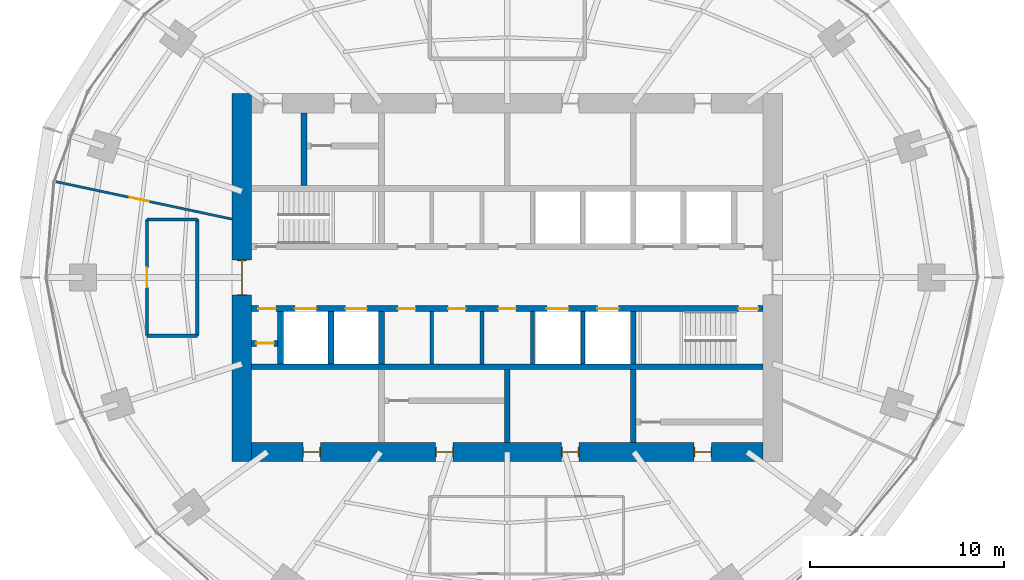
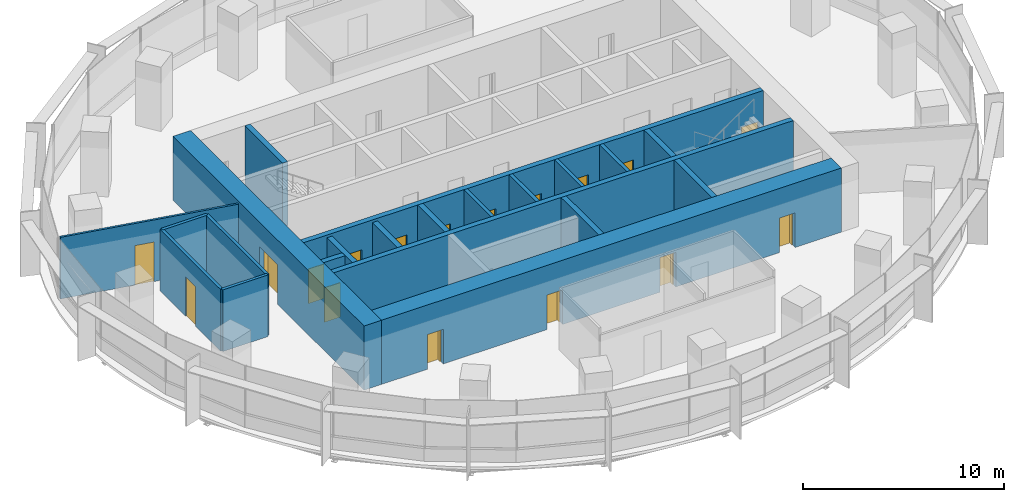
# One storey, part 10 of 14: 21 walls, 17 doors, 17 openings.
"""IFC4 building model written with IfcOpenShell, lengths in metres."""

import ifcopenshell
import ifcopenshell.guid

model = None  # the IFC model being written
_history = None  # IfcOwnerHistory: only IFC2X3 demands one
_inside = {}  # id of a spatial element -> (the spatial element, [elements in it])
_under = {}  # id of a project, library or spatial element -> (it, [spatial elements below it])
_declared = {}  # id of a project -> (the project, [libraries it declares])
_typed = {}  # id of a type object -> (the type object, [elements of that type])
_made_of = {}  # id of a material, layer set ... -> (it, [elements and type objects made of it])


def new_model(schema):
    """Start an empty IFC model of exactly this schema.

    Asked for "IFC4X3", IfcOpenShell would pick the latest addendum, in which some entities
    have other attributes; the version numbers below select the first issue.
    IFC2X3 requires an IfcOwnerHistory on every rooted entity: one is made here for all.
    """
    global model, _history
    if schema == "IFC4X3":
        model = ifcopenshell.file(schema_version=(4, 3, 0, 0))
    else:
        model = ifcopenshell.file(schema=schema)
    _inside.clear()
    _under.clear()
    _declared.clear()
    _typed.clear()
    _made_of.clear()
    _history = None
    if model.schema == "IFC2X3":
        org = make("IfcOrganization", Name="unknown")
        user = make(
            "IfcPersonAndOrganization",
            ThePerson=make("IfcPerson", FamilyName="unknown"),
            TheOrganization=org,
        )
        app = make(
            "IfcApplication",
            ApplicationDeveloper=org,
            Version="unknown",
            ApplicationFullName="unknown",
            ApplicationIdentifier="unknown",
        )
        _history = make(
            "IfcOwnerHistory",
            OwningUser=user,
            OwningApplication=app,
            ChangeAction="ADDED",
            CreationDate=0,
        )
    return model


def make(cls, **values):
    """One entity of the class cls with the attributes given. An attribute that is None is left unset."""
    return model.create_entity(
        cls, **{name: value for name, value in values.items() if value is not None}
    )


def rooted(cls, **values):
    """An entity with a GlobalId (a new one), such as an element, a storey or a relation."""
    return make(cls, GlobalId=ifcopenshell.guid.new(), OwnerHistory=_history, **values)


def si_unit(unit_type, name, prefix=None):
    """IfcSIUnit, for example si_unit("LENGTHUNIT", "METRE", prefix="MILLI")."""
    return make("IfcSIUnit", UnitType=unit_type, Prefix=prefix, Name=name)


def assignment(units):
    """IfcUnitAssignment: the units of a project."""
    return None if units is None else make("IfcUnitAssignment", Units=units)


def point(xyz):
    """IfcCartesianPoint."""
    return None if xyz is None else make("IfcCartesianPoint", Coordinates=xyz)


def direction(xyz):
    """IfcDirection."""
    return None if xyz is None else make("IfcDirection", DirectionRatios=xyz)


def frame(location, z_axis=None, x_axis=None):
    """IfcAxis2Placement3D, a coordinate frame: its origin and axes. An axis left out is left unset."""
    return make(
        "IfcAxis2Placement3D",
        Location=point(location),
        Axis=direction(z_axis),
        RefDirection=direction(x_axis),
    )


def frame_2d(location, x_axis=None):
    """IfcAxis2Placement2D, a coordinate frame in the plane: its origin and x axis."""
    return make(
        "IfcAxis2Placement2D", Location=point(location), RefDirection=direction(x_axis)
    )


def origin():
    """The frame at (0, 0, 0) with its axes left unset."""
    return frame((0.0, 0.0, 0.0))


def place(relative_to, where):
    """IfcLocalPlacement: puts the frame where relative to a parent placement (None: the world)."""
    return make(
        "IfcLocalPlacement", PlacementRelTo=relative_to, RelativePlacement=where
    )


def context(
    kind, dimensions, precision=None, world=None, true_north=None, identifier=None
):
    """IfcGeometricRepresentationContext, for example the 3D "Model" context."""
    return make(
        "IfcGeometricRepresentationContext",
        ContextIdentifier=identifier,
        ContextType=kind,
        CoordinateSpaceDimension=dimensions,
        Precision=precision,
        WorldCoordinateSystem=world,
        TrueNorth=true_north,
    )


def subcontext(parent, identifier, kind, view, scale=None):
    """IfcGeometricRepresentationSubContext, for example "Body" below "Model"."""
    return make(
        "IfcGeometricRepresentationSubContext",
        ContextIdentifier=identifier,
        ContextType=kind,
        ParentContext=parent,
        TargetScale=scale,
        TargetView=view,
    )


def project(units=None, contexts=None):
    """IfcProject with its units and contexts."""
    return rooted(
        "IfcProject",
        Name="project",
        RepresentationContexts=contexts,
        UnitsInContext=assignment(units),
    )


def spatial(cls, under=None, at=None, **own):
    """A site, building, storey or space (cls), placed at a placement, below another one or the project."""
    s = rooted(cls, ObjectPlacement=at, **own)
    if under is not None:
        _under.setdefault(under.id(), (under, []))[1].append(s)
    return s


def profile(cls, at=None, kind="AREA", **sizes):
    """A parametric profile (cls). Its sizes go by their IFC names, for example OverallWidth=200.0."""
    return make(cls, ProfileType=kind, Position=at, **sizes)


def rectangle(**sizes):
    """IfcRectangleProfileDef."""
    return profile("IfcRectangleProfileDef", **sizes)


def extrude(swept, where, along, depth):
    """IfcExtrudedAreaSolid: the profile swept, set in the frame where, extruded along a direction by depth."""
    return make(
        "IfcExtrudedAreaSolid",
        SweptArea=swept,
        Position=where,
        ExtrudedDirection=direction(along),
        Depth=depth,
    )


def shape(context_of_items, identifier, shape_type, items):
    """IfcShapeRepresentation: the items that make up one representation, for example the "Body"."""
    return make(
        "IfcShapeRepresentation",
        ContextOfItems=context_of_items,
        RepresentationIdentifier=identifier,
        RepresentationType=shape_type,
        Items=items,
    )


def material(Name=None, Category=None):
    """IfcMaterial."""
    return make("IfcMaterial", Name=Name, Category=Category)


def layer(
    of_material, thickness, ventilated=None, Name=None, Category=None, Priority=None
):
    """IfcMaterialLayer: one layer of a wall or slab, of a material (None: an air gap)."""
    return make(
        "IfcMaterialLayer",
        Material=of_material,
        LayerThickness=thickness,
        IsVentilated=ventilated,
        Name=Name,
        Category=Category,
        Priority=Priority,
    )


def layer_set(layers, Name=None):
    """IfcMaterialLayerSet."""
    return make("IfcMaterialLayerSet", MaterialLayers=layers, LayerSetName=Name)


def made_of(thing, what):
    """Note that an element or type object is made of a material, layer set ...; save() writes the relation."""
    if what is not None:
        _made_of.setdefault(what.id(), (what, []))[1].append(thing)
    return thing


def type_object(cls, material=None, **own):
    """A type object (cls), such as IfcWallType, which elements share."""
    return made_of(rooted(cls, **own), material)


def element(
    cls,
    number,
    at=None,
    inside=None,
    cuts=None,
    type_object=None,
    material=None,
    context=None,
    identifier="Body",
    shape_type=None,
    held_by="IfcProductDefinitionShape",
    body=None,
    shapes=None,
    **own,
):
    """One element of the class cls, such as IfcWall. Its Tag is "e" and its number.

    at: its placement. inside: the storey or other place that contains it. cuts: it is an
    opening in that element (IfcRelVoidsElement). A single representation is given by context,
    identifier, shape_type and body (its items); several are given by shapes. held_by: the class
    of the entity that holds the representations. save() writes the other relations.
    """
    e = rooted(cls, Tag="e%d" % number, ObjectPlacement=at, **own)
    if body is not None:
        shapes = [shape(context, identifier, shape_type, body)]
    if shapes is not None:
        e.Representation = make(held_by, Representations=shapes)
    if inside is not None:
        _inside.setdefault(inside.id(), (inside, []))[1].append(e)
    if cuts is not None:
        rooted(
            "IfcRelVoidsElement", RelatingBuildingElement=cuts, RelatedOpeningElement=e
        )
    if type_object is not None:
        _typed.setdefault(type_object.id(), (type_object, []))[1].append(e)
    return made_of(e, material)


def fill(opening, filler):
    """IfcRelFillsElement: the door or window that sits in an opening."""
    return rooted(
        "IfcRelFillsElement",
        RelatingOpeningElement=opening,
        RelatedBuildingElement=filler,
    )


def aggregate(whole, parts):
    """IfcRelAggregates: a whole, such as a stair, and the parts it consists of."""
    return rooted("IfcRelAggregates", RelatingObject=whole, RelatedObjects=parts)


def save(model, path):
    """Write the relations noted so far, then the file.

    IfcRelAggregates (storeys below a building ...), IfcRelContainedInSpatialStructure (elements
    in a storey), IfcRelDefinesByType, IfcRelAssociatesMaterial and IfcRelDeclares: one each for
    every whole, place, type object, material and project.
    """
    for whole, parts in _under.values():
        aggregate(whole, parts)
    for where, things in _inside.values():
        rooted(
            "IfcRelContainedInSpatialStructure",
            RelatedElements=things,
            RelatingStructure=where,
        )
    for kind, things in _typed.values():
        rooted("IfcRelDefinesByType", RelatedObjects=things, RelatingType=kind)
    for what, things in _made_of.values():
        rooted("IfcRelAssociatesMaterial", RelatedObjects=things, RelatingMaterial=what)
    for by, libraries in _declared.values():
        rooted("IfcRelDeclares", RelatingContext=by, RelatedDefinitions=libraries)
    model.write(path)


model = new_model("IFC4")

# Units and contexts
model_context = context("Model", 3, precision=1e-05, world=origin(), true_north=direction((0.0, 1.0)))
body_context = subcontext(model_context, "Body", "Model", "MODEL_VIEW")
ifc_project = project(units=[si_unit("LENGTHUNIT", "METRE"), si_unit("AREAUNIT", "SQUARE_METRE"), si_unit("VOLUMEUNIT", "CUBIC_METRE"), si_unit("PLANEANGLEUNIT", "RADIAN"), si_unit("MASSUNIT", "GRAM", prefix="KILO")], contexts=[model_context])

# Site, building, storey
site_placement = place(None, origin())
site = spatial("IfcSite", under=ifc_project, at=site_placement, CompositionType="ELEMENT")
building_placement = place(site_placement, origin())
building = spatial("IfcBuilding", under=site, at=building_placement, Name="Marramba Exchange Tower", CompositionType="ELEMENT")
storey_placement = place(building_placement, frame((0.0, 0.0, 222.800048828125)))
storey = spatial("IfcBuildingStorey", under=building, at=storey_placement, Name="L54", CompositionType="ELEMENT", Elevation=222.800048828125)

# Walls
ifc_material_1 = material(Name="Plasterboard on staggered double steel studs, acoustic insulation", Category="steel")
ifc_layer_1 = layer(ifc_material_1, 0.169921875)
ifc_layer_set_1 = layer_set([ifc_layer_1], Name="Acoustic partition 170")
wall_type_1 = type_object("IfcWallType", Name="Acoustic partition 170", PredefinedType="PARTITIONING", material=ifc_layer_set_1)
for number, where, z_axis, x_axis, name in (
    (1, (-16.0, -3.0, 0.0), (0.0, 0.0, 1.0), (-1.0, 0.0, 0.0), "Acoustic partition L54 01"),
    (2, (-18.60009765625, 3.0, 0.0), (0.0, 0.0, 1.0), (1.0, 0.0, 0.0), "Acoustic partition L54 13"),
):
    element("IfcWall", number, at=place(storey_placement, frame(where, z_axis=z_axis, x_axis=x_axis)), inside=storey, type_object=wall_type_1, Name=name, PredefinedType="PARTITIONING", context=body_context, shape_type="SweptSolid", body=[
        extrude(rectangle(XDim=2.60009765625, YDim=0.169921875, at=frame_2d((1.300048828125, 0.0))), origin(), (0.0, 0.0, 1.0), 3.739990234375),
    ])

# Wall, opening, door
wall_1_placement = place(storey_placement, frame((-18.60009765625, -3.0, 0.0), z_axis=(0.0, 0.0, 1.0), x_axis=(0.0, 1.0, 0.0)))
wall_1 = element("IfcWall", 3, at=wall_1_placement, inside=storey, type_object=wall_type_1, Name="Acoustic partition L54 14", PredefinedType="PARTITIONING", context=body_context, shape_type="SweptSolid", body=[
    extrude(rectangle(XDim=6.0, YDim=0.169921875, at=frame_2d((3.0, 0.0))), origin(), (0.0, 0.0, 1.0), 3.739990234375),
])
opening_1_placement = place(wall_1_placement, frame((2.5, 0.0, 0.0)))
opening_1 = element("IfcOpeningElement", 4, at=opening_1_placement, cuts=wall_1, Name="Opening D9", PredefinedType="OPENING", context=body_context, shape_type="SweptSolid", body=[
    extrude(rectangle(XDim=1.0, YDim=2.39990234375, at=frame_2d((0.5, 1.199951171875))), frame((0.0, 0.094970703125, 0.0), z_axis=(0.0, -1.0, 0.0), x_axis=(1.0, 0.0, 0.0)), (0.0, 0.0, 1.0), 0.18994140625),
])
ifc_material_2 = material(Name="Timber door", Category="wood")
door_type_1 = type_object("IfcDoorType", Name="Room door 1000x2400", OperationType="SINGLE_SWING_LEFT", PredefinedType="DOOR", material=ifc_material_2)
door_1_placement = place(opening_1_placement, frame((1.0, 0.0, 0.0), z_axis=(0.0, 0.0, 1.0), x_axis=(-1.0, 0.0, 0.0)))
door_1 = element("IfcDoor", 5, at=door_1_placement, inside=storey, type_object=door_type_1, Name="D9 Quiet Room L54", OperationType="SINGLE_SWING_RIGHT", OverallHeight=2.39990234375, OverallWidth=1.0, PredefinedType="DOOR", context=body_context, shape_type="SweptSolid", body=[
    extrude(rectangle(XDim=1.0, YDim=2.39990234375, at=frame_2d((0.5, 1.199951171875))), frame((0.0, 0.025146484375, 0.0), z_axis=(0.0, -1.0, 0.0), x_axis=(1.0, 0.0, 0.0)), (0.0, 0.0, 1.0), 0.050048828125),
])
fill(opening_1, door_1)

# Walls
wall_2_placement = place(storey_placement, frame((-16.0, 3.0, 0.0), z_axis=(0.0, 0.0, 1.0), x_axis=(0.0, -1.0, 0.0)))
element("IfcWall", 6, at=wall_2_placement, inside=storey, type_object=wall_type_1, Name="Acoustic partition L54 15", PredefinedType="PARTITIONING", context=body_context, shape_type="SweptSolid", body=[
    extrude(rectangle(XDim=6.0, YDim=0.169921875, at=frame_2d((3.0, 0.0))), origin(), (0.0, 0.0, 1.0), 3.739990234375),
])
ifc_material_3 = material(Name="Concrete N50", Category="concrete")
ifc_layer_2 = layer(ifc_material_3, 0.199951171875)
ifc_layer_set_2 = layer_set([ifc_layer_2], Name="Core shaft wall 200")
wall_type_2 = type_object("IfcWallType", Name="Core shaft wall 200", PredefinedType="SHEAR", material=ifc_layer_set_2)
for number, where, z_axis, x_axis, name in (
    (7, (-3.89990234375, -1.75, 0.0), (0.0, 0.0, 1.0), (0.0, -1.0, 0.0), "Core wall SHS1 L54"),
    (8, (-1.300048828125, -1.75, 0.0), (0.0, 0.0, 1.0), (0.0, -1.0, 0.0), "Core wall SHS2 L54"),
    (9, (1.300048828125, -1.75, 0.0), (0.0, 0.0, 1.0), (0.0, -1.0, 0.0), "Core wall SHS3 L54"),
    (10, (3.89990234375, -1.75, 0.0), (0.0, 0.0, 1.0), (0.0, -1.0, 0.0), "Core wall SHS4 L54"),
):
    element("IfcWall", number, at=place(storey_placement, frame(where, z_axis=z_axis, x_axis=x_axis)), inside=storey, type_object=wall_type_2, Name=name, PredefinedType="SHEAR", context=body_context, shape_type="SweptSolid", body=[
        extrude(rectangle(XDim=2.699951171875, YDim=0.199951171875, at=frame_2d((1.35009765625, 0.0))), origin(), (0.0, 0.0, 1.0), 3.89990234375),
    ])

# Wall, openings, doors
ifc_layer_3 = layer(ifc_material_3, 1.0)
ifc_layer_set_3 = layer_set([ifc_layer_3], Name="Core wall 1000")
wall_type_3 = type_object("IfcWallType", Name="Core wall 1000", PredefinedType="SHEAR", material=ifc_layer_set_3)
wall_3_placement = place(storey_placement, frame((-13.199951171875, -9.0, 0.0), z_axis=(0.0, 0.0, 1.0), x_axis=(1.0, 0.0, 0.0)))
wall_3 = element("IfcWall", 11, at=wall_3_placement, inside=storey, type_object=wall_type_3, Name="Core wall S L54", PredefinedType="SHEAR", context=body_context, shape_type="SweptSolid", body=[
    extrude(rectangle(XDim=26.39990234375, YDim=1.0, at=frame_2d((13.199951171875, 0.0))), origin(), (0.0, 0.0, 1.0), 3.89990234375),
])
opening_2_placement = place(wall_3_placement, frame((2.64990234375, 0.0, 0.0)))
opening_2 = element("IfcOpeningElement", 12, at=opening_2_placement, cuts=wall_3, Name="Opening D5", PredefinedType="OPENING", context=body_context, shape_type="SweptSolid", body=[
    extrude(rectangle(XDim=0.89990234375, YDim=2.10009765625, at=frame_2d((0.449951171875, 1.050048828125))), frame((0.0, 0.510009765625, 0.0), z_axis=(0.0, -1.0, 0.0), x_axis=(1.0, 0.0, 0.0)), (0.0, 0.0, 1.0), 1.02001953125),
])
opening_3_placement = place(wall_3_placement, frame((9.5, 0.0, 0.0)))
opening_3 = element("IfcOpeningElement", 13, at=opening_3_placement, cuts=wall_3, Name="Opening D5", PredefinedType="OPENING", context=body_context, shape_type="SweptSolid", body=[
    extrude(rectangle(XDim=0.89990234375, YDim=2.10009765625, at=frame_2d((0.449951171875, 1.050048828125))), frame((0.0, 0.510009765625, 0.0), z_axis=(0.0, -1.0, 0.0), x_axis=(1.0, 0.0, 0.0)), (0.0, 0.0, 1.0), 1.02001953125),
])
opening_4_placement = place(wall_3_placement, frame((16.0, 0.0, 0.0)))
opening_4 = element("IfcOpeningElement", 14, at=opening_4_placement, cuts=wall_3, Name="Opening D5", PredefinedType="OPENING", context=body_context, shape_type="SweptSolid", body=[
    extrude(rectangle(XDim=0.89990234375, YDim=2.10009765625, at=frame_2d((0.449951171875, 1.050048828125))), frame((0.0, 0.510009765625, 0.0), z_axis=(0.0, -1.0, 0.0), x_axis=(1.0, 0.0, 0.0)), (0.0, 0.0, 1.0), 1.02001953125),
])
opening_5_placement = place(wall_3_placement, frame((22.85009765625, 0.0, 0.0)))
opening_5 = element("IfcOpeningElement", 15, at=opening_5_placement, cuts=wall_3, Name="Opening D5", PredefinedType="OPENING", context=body_context, shape_type="SweptSolid", body=[
    extrude(rectangle(XDim=0.89990234375, YDim=2.10009765625, at=frame_2d((0.449951171875, 1.050048828125))), frame((0.0, 0.510009765625, 0.0), z_axis=(0.0, -1.0, 0.0), x_axis=(1.0, 0.0, 0.0)), (0.0, 0.0, 1.0), 1.02001953125),
])
ifc_material_4 = material(Name="Steel-framed door", Category="steel")
door_type_2 = type_object("IfcDoorType", Name="Service door 900x2100", OperationType="SINGLE_SWING_LEFT", PredefinedType="DOOR", material=ifc_material_4)
door_2_placement = place(opening_2_placement, origin())
door_2 = element("IfcDoor", 16, at=door_2_placement, inside=storey, type_object=door_type_2, Name="D5 ahu L54", OperationType="SINGLE_SWING_LEFT", OverallHeight=2.10009765625, OverallWidth=0.89990234375, PredefinedType="DOOR", context=body_context, shape_type="SweptSolid", body=[
    extrude(rectangle(XDim=0.81982421875, YDim=2.06005859375, at=frame_2d((0.449951171875, 1.030029296875))), frame((0.0, 0.02490234375, 0.0), z_axis=(0.0, -1.0, 0.0), x_axis=(1.0, 0.0, 0.0)), (0.0, 0.0, 1.0), 0.050048828125),
    extrude(rectangle(XDim=0.04, YDim=2.10009765625, at=frame_2d((0.02001953125, 1.050048828125))), frame((0.0, 0.25, 0.0), z_axis=(0.0, -1.0, 0.0), x_axis=(1.0, 0.0, 0.0)), (0.0, 0.0, 1.0), 0.5),
    extrude(rectangle(XDim=0.04, YDim=2.10009765625, at=frame_2d((0.8798828125, 1.050048828125))), frame((0.0, 0.25, 0.0), z_axis=(0.0, -1.0, 0.0), x_axis=(1.0, 0.0, 0.0)), (0.0, 0.0, 1.0), 0.5),
    extrude(rectangle(XDim=0.81982421875, YDim=0.04, at=frame_2d((0.449951171875, 2.080078125))), frame((0.0, 0.25, 0.0), z_axis=(0.0, -1.0, 0.0), x_axis=(1.0, 0.0, 0.0)), (0.0, 0.0, 1.0), 0.5),
])
fill(opening_2, door_2)
door_3_placement = place(opening_3_placement, origin())
door_3 = element("IfcDoor", 17, at=door_3_placement, inside=storey, type_object=door_type_2, Name="D5 store L54", OperationType="SINGLE_SWING_RIGHT", OverallHeight=2.10009765625, OverallWidth=0.89990234375, PredefinedType="DOOR", context=body_context, shape_type="SweptSolid", body=[
    extrude(rectangle(XDim=0.81982421875, YDim=2.06005859375, at=frame_2d((0.449951171875, 1.030029296875))), frame((0.0, 0.02490234375, 0.0), z_axis=(0.0, -1.0, 0.0), x_axis=(1.0, 0.0, 0.0)), (0.0, 0.0, 1.0), 0.050048828125),
    extrude(rectangle(XDim=0.04, YDim=2.10009765625, at=frame_2d((0.02001953125, 1.050048828125))), frame((0.0, 0.25, 0.0), z_axis=(0.0, -1.0, 0.0), x_axis=(1.0, 0.0, 0.0)), (0.0, 0.0, 1.0), 0.5),
    extrude(rectangle(XDim=0.04, YDim=2.10009765625, at=frame_2d((0.8798828125, 1.050048828125))), frame((0.0, 0.25, 0.0), z_axis=(0.0, -1.0, 0.0), x_axis=(1.0, 0.0, 0.0)), (0.0, 0.0, 1.0), 0.5),
    extrude(rectangle(XDim=0.81982421875, YDim=0.04, at=frame_2d((0.449951171875, 2.080078125))), frame((0.0, 0.25, 0.0), z_axis=(0.0, -1.0, 0.0), x_axis=(1.0, 0.0, 0.0)), (0.0, 0.0, 1.0), 0.5),
])
fill(opening_3, door_3)
door_4_placement = place(opening_4_placement, origin())
door_4 = element("IfcDoor", 18, at=door_4_placement, inside=storey, type_object=door_type_2, Name="D5 switch L54", OperationType="SINGLE_SWING_RIGHT", OverallHeight=2.10009765625, OverallWidth=0.89990234375, PredefinedType="DOOR", context=body_context, shape_type="SweptSolid", body=[
    extrude(rectangle(XDim=0.81982421875, YDim=2.06005859375, at=frame_2d((0.449951171875, 1.030029296875))), frame((0.0, 0.02490234375, 0.0), z_axis=(0.0, -1.0, 0.0), x_axis=(1.0, 0.0, 0.0)), (0.0, 0.0, 1.0), 0.050048828125),
    extrude(rectangle(XDim=0.04, YDim=2.10009765625, at=frame_2d((0.02001953125, 1.050048828125))), frame((0.0, 0.25, 0.0), z_axis=(0.0, -1.0, 0.0), x_axis=(1.0, 0.0, 0.0)), (0.0, 0.0, 1.0), 0.5),
    extrude(rectangle(XDim=0.04, YDim=2.10009765625, at=frame_2d((0.8798828125, 1.050048828125))), frame((0.0, 0.25, 0.0), z_axis=(0.0, -1.0, 0.0), x_axis=(1.0, 0.0, 0.0)), (0.0, 0.0, 1.0), 0.5),
    extrude(rectangle(XDim=0.81982421875, YDim=0.04, at=frame_2d((0.449951171875, 2.080078125))), frame((0.0, 0.25, 0.0), z_axis=(0.0, -1.0, 0.0), x_axis=(1.0, 0.0, 0.0)), (0.0, 0.0, 1.0), 0.5),
])
fill(opening_4, door_4)
door_5_placement = place(opening_5_placement, origin())
door_5 = element("IfcDoor", 19, at=door_5_placement, inside=storey, type_object=door_type_2, Name="D5 cstore L54", OperationType="SINGLE_SWING_RIGHT", OverallHeight=2.10009765625, OverallWidth=0.89990234375, PredefinedType="DOOR", context=body_context, shape_type="SweptSolid", body=[
    extrude(rectangle(XDim=0.81982421875, YDim=2.06005859375, at=frame_2d((0.449951171875, 1.030029296875))), frame((0.0, 0.02490234375, 0.0), z_axis=(0.0, -1.0, 0.0), x_axis=(1.0, 0.0, 0.0)), (0.0, 0.0, 1.0), 0.050048828125),
    extrude(rectangle(XDim=0.04, YDim=2.10009765625, at=frame_2d((0.02001953125, 1.050048828125))), frame((0.0, 0.25, 0.0), z_axis=(0.0, -1.0, 0.0), x_axis=(1.0, 0.0, 0.0)), (0.0, 0.0, 1.0), 0.5),
    extrude(rectangle(XDim=0.04, YDim=2.10009765625, at=frame_2d((0.8798828125, 1.050048828125))), frame((0.0, 0.25, 0.0), z_axis=(0.0, -1.0, 0.0), x_axis=(1.0, 0.0, 0.0)), (0.0, 0.0, 1.0), 0.5),
    extrude(rectangle(XDim=0.81982421875, YDim=0.04, at=frame_2d((0.449951171875, 2.080078125))), frame((0.0, 0.25, 0.0), z_axis=(0.0, -1.0, 0.0), x_axis=(1.0, 0.0, 0.0)), (0.0, 0.0, 1.0), 0.5),
])
fill(opening_5, door_5)

# Wall, opening, door
wall_4_placement = place(storey_placement, frame((-13.699951171875, 9.5, 0.0), z_axis=(0.0, 0.0, 1.0), x_axis=(0.0, -1.0, 0.0)))
wall_4 = element("IfcWall", 20, at=wall_4_placement, inside=storey, type_object=wall_type_3, Name="Core wall W L54", PredefinedType="SHEAR", context=body_context, shape_type="SweptSolid", body=[
    extrude(rectangle(XDim=19.0, YDim=1.0, at=frame_2d((9.5, 0.0))), origin(), (0.0, 0.0, 1.0), 3.89990234375),
])
opening_6_placement = place(wall_4_placement, frame((8.60009765625, 0.0, 0.0)))
opening_6 = element("IfcOpeningElement", 21, at=opening_6_placement, cuts=wall_4, Name="Opening D1", PredefinedType="OPENING", context=body_context, shape_type="SweptSolid", body=[
    extrude(rectangle(XDim=1.800048828125, YDim=2.39990234375, at=frame_2d((0.89990234375, 1.199951171875))), frame((0.0, 0.510009765625, 0.0), z_axis=(0.0, -1.0, 0.0), x_axis=(1.0, 0.0, 0.0)), (0.0, 0.0, 1.0), 1.02001953125),
])
door_type_3 = type_object("IfcDoorType", Name="Lobby exit door 1800x2400", OperationType="DOUBLE_DOOR_SINGLE_SWING", PredefinedType="DOOR", material=ifc_material_4)
door_6_placement = place(opening_6_placement, origin())
door_6 = element("IfcDoor", 22, at=door_6_placement, inside=storey, type_object=door_type_3, Name="D1 lobby exit west L54", OperationType="DOUBLE_DOOR_SINGLE_SWING", OverallHeight=2.39990234375, OverallWidth=1.800048828125, PredefinedType="DOOR", context=body_context, shape_type="SweptSolid", body=[
    extrude(rectangle(XDim=1.719970703125, YDim=2.35986328125, at=frame_2d((0.89990234375, 1.179931640625))), frame((0.0, 0.02490234375, 0.0), z_axis=(0.0, -1.0, 0.0), x_axis=(1.0, 0.0, 0.0)), (0.0, 0.0, 1.0), 0.050048828125),
    extrude(rectangle(XDim=0.04, YDim=2.39990234375, at=frame_2d((0.02001953125, 1.199951171875))), frame((0.0, 0.25, 0.0), z_axis=(0.0, -1.0, 0.0), x_axis=(1.0, 0.0, 0.0)), (0.0, 0.0, 1.0), 0.5),
    extrude(rectangle(XDim=0.04, YDim=2.39990234375, at=frame_2d((1.780029296875, 1.199951171875))), frame((0.0, 0.25, 0.0), z_axis=(0.0, -1.0, 0.0), x_axis=(1.0, 0.0, 0.0)), (0.0, 0.0, 1.0), 0.5),
    extrude(rectangle(XDim=1.719970703125, YDim=0.04, at=frame_2d((0.89990234375, 2.3798828125))), frame((0.0, 0.25, 0.0), z_axis=(0.0, -1.0, 0.0), x_axis=(1.0, 0.0, 0.0)), (0.0, 0.0, 1.0), 0.5),
])
fill(opening_6, door_6)

# Wall, openings, doors
ifc_layer_4 = layer(ifc_material_3, 0.300048828125)
ifc_layer_set_4 = layer_set([ifc_layer_4], Name="Core wall 300")
wall_type_4 = type_object("IfcWallType", Name="Core wall 300", PredefinedType="SHEAR", material=ifc_layer_set_4)
wall_5_placement = place(storey_placement, frame((-13.199951171875, -1.60009765625, 0.0), z_axis=(0.0, 0.0, 1.0), x_axis=(1.0, 0.0, 0.0)))
wall_5 = element("IfcWall", 23, at=wall_5_placement, inside=storey, type_object=wall_type_4, Name="Core wall LS L54", PredefinedType="SHEAR", context=body_context, shape_type="SweptSolid", body=[
    extrude(rectangle(XDim=26.39990234375, YDim=0.300048828125, at=frame_2d((13.199951171875, 0.0))), origin(), (0.0, 0.0, 1.0), 3.89990234375),
])
opening_7_placement = place(wall_5_placement, frame((25.14990234375, 0.0, 0.0)))
opening_7 = element("IfcOpeningElement", 24, at=opening_7_placement, cuts=wall_5, Name="Opening D2", PredefinedType="OPENING", context=body_context, shape_type="SweptSolid", body=[
    extrude(rectangle(XDim=1.0, YDim=2.10009765625, at=frame_2d((0.5, 1.050048828125))), frame((0.0, 0.159912109375, 0.0), z_axis=(0.0, -1.0, 0.0), x_axis=(1.0, 0.0, 0.0)), (0.0, 0.0, 1.0), 0.320068359375),
])
opening_8_placement = place(wall_5_placement, frame((7.550048828125, 0.0, 0.0)))
opening_8 = element("IfcOpeningElement", 25, at=opening_8_placement, cuts=wall_5, Name="Opening D5", PredefinedType="OPENING", context=body_context, shape_type="SweptSolid", body=[
    extrude(rectangle(XDim=0.89990234375, YDim=2.10009765625, at=frame_2d((0.449951171875, 1.050048828125))), frame((0.0, 0.159912109375, 0.0), z_axis=(0.0, -1.0, 0.0), x_axis=(1.0, 0.0, 0.0)), (0.0, 0.0, 1.0), 0.320068359375),
])
opening_9_placement = place(wall_5_placement, frame((10.14990234375, 0.0, 0.0)))
opening_9 = element("IfcOpeningElement", 26, at=opening_9_placement, cuts=wall_5, Name="Opening D5", PredefinedType="OPENING", context=body_context, shape_type="SweptSolid", body=[
    extrude(rectangle(XDim=0.89990234375, YDim=2.10009765625, at=frame_2d((0.449951171875, 1.050048828125))), frame((0.0, 0.159912109375, 0.0), z_axis=(0.0, -1.0, 0.0), x_axis=(1.0, 0.0, 0.0)), (0.0, 0.0, 1.0), 0.320068359375),
])
opening_10_placement = place(wall_5_placement, frame((12.75, 0.0, 0.0)))
opening_10 = element("IfcOpeningElement", 27, at=opening_10_placement, cuts=wall_5, Name="Opening D5", PredefinedType="OPENING", context=body_context, shape_type="SweptSolid", body=[
    extrude(rectangle(XDim=0.89990234375, YDim=2.10009765625, at=frame_2d((0.449951171875, 1.050048828125))), frame((0.0, 0.159912109375, 0.0), z_axis=(0.0, -1.0, 0.0), x_axis=(1.0, 0.0, 0.0)), (0.0, 0.0, 1.0), 0.320068359375),
])
opening_11_placement = place(wall_5_placement, frame((15.25, 0.0, 0.0)))
opening_11 = element("IfcOpeningElement", 28, at=opening_11_placement, cuts=wall_5, Name="Opening LD2", PredefinedType="OPENING", context=body_context, shape_type="SweptSolid", body=[
    extrude(rectangle(XDim=1.10009765625, YDim=2.300048828125, at=frame_2d((0.550048828125, 1.14990234375))), frame((0.0, 0.159912109375, 0.0), z_axis=(0.0, -1.0, 0.0), x_axis=(1.0, 0.0, 0.0)), (0.0, 0.0, 1.0), 0.320068359375),
])
opening_12_placement = place(wall_5_placement, frame((17.85009765625, 0.0, 0.0)))
opening_12 = element("IfcOpeningElement", 29, at=opening_12_placement, cuts=wall_5, Name="Opening LD2", PredefinedType="OPENING", context=body_context, shape_type="SweptSolid", body=[
    extrude(rectangle(XDim=1.10009765625, YDim=2.300048828125, at=frame_2d((0.550048828125, 1.14990234375))), frame((0.0, 0.159912109375, 0.0), z_axis=(0.0, -1.0, 0.0), x_axis=(1.0, 0.0, 0.0)), (0.0, 0.0, 1.0), 0.320068359375),
])
opening_13_placement = place(wall_5_placement, frame((4.85009765625, 0.0, 0.0)))
opening_13 = element("IfcOpeningElement", 30, at=opening_13_placement, cuts=wall_5, Name="Opening LD1", PredefinedType="OPENING", context=body_context, shape_type="SweptSolid", body=[
    extrude(rectangle(XDim=1.10009765625, YDim=2.300048828125, at=frame_2d((0.550048828125, 1.14990234375))), frame((0.0, 0.159912109375, 0.0), z_axis=(0.0, -1.0, 0.0), x_axis=(1.0, 0.0, 0.0)), (0.0, 0.0, 1.0), 0.320068359375),
])
opening_14_placement = place(wall_5_placement, frame((2.25, 0.0, 0.0)))
opening_14 = element("IfcOpeningElement", 31, at=opening_14_placement, cuts=wall_5, Name="Opening LD1", PredefinedType="OPENING", context=body_context, shape_type="SweptSolid", body=[
    extrude(rectangle(XDim=1.10009765625, YDim=2.300048828125, at=frame_2d((0.550048828125, 1.14990234375))), frame((0.0, 0.159912109375, 0.0), z_axis=(0.0, -1.0, 0.0), x_axis=(1.0, 0.0, 0.0)), (0.0, 0.0, 1.0), 0.320068359375),
])
opening_15_placement = place(wall_5_placement, frame((0.35009765625, 0.0, 0.0)))
opening_15 = element("IfcOpeningElement", 32, at=opening_15_placement, cuts=wall_5, Name="Opening D5", PredefinedType="OPENING", context=body_context, shape_type="SweptSolid", body=[
    extrude(rectangle(XDim=0.89990234375, YDim=2.10009765625, at=frame_2d((0.449951171875, 1.050048828125))), frame((0.0, 0.159912109375, 0.0), z_axis=(0.0, -1.0, 0.0), x_axis=(1.0, 0.0, 0.0)), (0.0, 0.0, 1.0), 0.320068359375),
])
door_type_4 = type_object("IfcDoorType", Name="Emergency lift landing door 1100x2300", OperationType="SLIDING_TO_LEFT", PredefinedType="DOOR", material=ifc_material_4)
door_7_placement = place(opening_11_placement, frame((1.10009765625, 0.0, 0.0), z_axis=(0.0, 0.0, 1.0), x_axis=(-1.0, 0.0, 0.0)))
door_7 = element("IfcDoor", 33, at=door_7_placement, inside=storey, type_object=door_type_4, Name="FL1 landing door L54", OperationType="SLIDING_TO_RIGHT", OverallHeight=2.300048828125, OverallWidth=1.10009765625, PredefinedType="DOOR", context=body_context, shape_type="SweptSolid", body=[
    extrude(rectangle(XDim=1.10009765625, YDim=2.300048828125, at=frame_2d((0.550048828125, 1.14990234375))), frame((0.0, 0.025146484375, 0.0), z_axis=(0.0, -1.0, 0.0), x_axis=(1.0, 0.0, 0.0)), (0.0, 0.0, 1.0), 0.050048828125),
])
fill(opening_11, door_7)
door_8_placement = place(opening_12_placement, frame((1.10009765625, 0.0, 0.0), z_axis=(0.0, 0.0, 1.0), x_axis=(-1.0, 0.0, 0.0)))
door_8 = element("IfcDoor", 34, at=door_8_placement, inside=storey, type_object=door_type_4, Name="FL2 landing door L54", OperationType="SLIDING_TO_LEFT", OverallHeight=2.300048828125, OverallWidth=1.10009765625, PredefinedType="DOOR", context=body_context, shape_type="SweptSolid", body=[
    extrude(rectangle(XDim=1.10009765625, YDim=2.300048828125, at=frame_2d((0.550048828125, 1.14990234375))), frame((0.0, 0.025146484375, 0.0), z_axis=(0.0, -1.0, 0.0), x_axis=(1.0, 0.0, 0.0)), (0.0, 0.0, 1.0), 0.050048828125),
])
fill(opening_12, door_8)
door_type_5 = type_object("IfcDoorType", Name="Lift landing door 1100x2300", OperationType="SLIDING_TO_LEFT", PredefinedType="DOOR", material=ifc_material_4)
door_9_placement = place(opening_13_placement, frame((1.10009765625, 0.0, 0.0), z_axis=(0.0, 0.0, 1.0), x_axis=(-1.0, 0.0, 0.0)))
door_9 = element("IfcDoor", 35, at=door_9_placement, inside=storey, type_object=door_type_5, Name="LC1 landing door L54", OperationType="SLIDING_TO_LEFT", OverallHeight=2.300048828125, OverallWidth=1.10009765625, PredefinedType="DOOR", context=body_context, shape_type="SweptSolid", body=[
    extrude(rectangle(XDim=1.10009765625, YDim=2.300048828125, at=frame_2d((0.550048828125, 1.14990234375))), frame((0.0, 0.025146484375, 0.0), z_axis=(0.0, -1.0, 0.0), x_axis=(1.0, 0.0, 0.0)), (0.0, 0.0, 1.0), 0.050048828125),
])
fill(opening_13, door_9)
door_10_placement = place(opening_14_placement, frame((1.10009765625, 0.0, 0.0), z_axis=(0.0, 0.0, 1.0), x_axis=(-1.0, 0.0, 0.0)))
door_10 = element("IfcDoor", 36, at=door_10_placement, inside=storey, type_object=door_type_5, Name="LC2 landing door L54", OperationType="SLIDING_TO_LEFT", OverallHeight=2.300048828125, OverallWidth=1.10009765625, PredefinedType="DOOR", context=body_context, shape_type="SweptSolid", body=[
    extrude(rectangle(XDim=1.10009765625, YDim=2.300048828125, at=frame_2d((0.550048828125, 1.14990234375))), frame((0.0, 0.025146484375, 0.0), z_axis=(0.0, -1.0, 0.0), x_axis=(1.0, 0.0, 0.0)), (0.0, 0.0, 1.0), 0.050048828125),
])
fill(opening_14, door_10)
door_11_placement = place(opening_8_placement, frame((0.89990234375, 0.0, 0.0), z_axis=(0.0, 0.0, 1.0), x_axis=(-1.0, 0.0, 0.0)))
door_11 = element("IfcDoor", 37, at=door_11_placement, inside=storey, type_object=door_type_2, Name="D5 general store L54", OperationType="SINGLE_SWING_RIGHT", OverallHeight=2.10009765625, OverallWidth=0.89990234375, PredefinedType="DOOR", context=body_context, shape_type="SweptSolid", body=[
    extrude(rectangle(XDim=0.89990234375, YDim=2.10009765625, at=frame_2d((0.449951171875, 1.050048828125))), frame((0.0, 0.025146484375, 0.0), z_axis=(0.0, -1.0, 0.0), x_axis=(1.0, 0.0, 0.0)), (0.0, 0.0, 1.0), 0.050048828125),
])
fill(opening_8, door_11)
door_12_placement = place(opening_9_placement, frame((0.89990234375, 0.0, 0.0), z_axis=(0.0, 0.0, 1.0), x_axis=(-1.0, 0.0, 0.0)))
door_12 = element("IfcDoor", 38, at=door_12_placement, inside=storey, type_object=door_type_2, Name="D5 archive store n1 L54", OperationType="SINGLE_SWING_RIGHT", OverallHeight=2.10009765625, OverallWidth=0.89990234375, PredefinedType="DOOR", context=body_context, shape_type="SweptSolid", body=[
    extrude(rectangle(XDim=0.89990234375, YDim=2.10009765625, at=frame_2d((0.449951171875, 1.050048828125))), frame((0.0, 0.025146484375, 0.0), z_axis=(0.0, -1.0, 0.0), x_axis=(1.0, 0.0, 0.0)), (0.0, 0.0, 1.0), 0.050048828125),
])
fill(opening_9, door_12)
door_13_placement = place(opening_10_placement, frame((0.89990234375, 0.0, 0.0), z_axis=(0.0, 0.0, 1.0), x_axis=(-1.0, 0.0, 0.0)))
door_13 = element("IfcDoor", 39, at=door_13_placement, inside=storey, type_object=door_type_2, Name="D5 pantry n2 L54", OperationType="SINGLE_SWING_RIGHT", OverallHeight=2.10009765625, OverallWidth=0.89990234375, PredefinedType="DOOR", context=body_context, shape_type="SweptSolid", body=[
    extrude(rectangle(XDim=0.89990234375, YDim=2.10009765625, at=frame_2d((0.449951171875, 1.050048828125))), frame((0.0, 0.025146484375, 0.0), z_axis=(0.0, -1.0, 0.0), x_axis=(1.0, 0.0, 0.0)), (0.0, 0.0, 1.0), 0.050048828125),
])
fill(opening_10, door_13)
door_14_placement = place(opening_15_placement, frame((0.89990234375, 0.0, 0.0), z_axis=(0.0, 0.0, 1.0), x_axis=(-1.0, 0.0, 0.0)))
door_14 = element("IfcDoor", 40, at=door_14_placement, inside=storey, type_object=door_type_2, Name="D5 electrical riser L54", OperationType="SINGLE_SWING_LEFT", OverallHeight=2.10009765625, OverallWidth=0.89990234375, PredefinedType="DOOR", context=body_context, shape_type="SweptSolid", body=[
    extrude(rectangle(XDim=0.89990234375, YDim=2.10009765625, at=frame_2d((0.449951171875, 1.050048828125))), frame((0.0, 0.025146484375, 0.0), z_axis=(0.0, -1.0, 0.0), x_axis=(1.0, 0.0, 0.0)), (0.0, 0.0, 1.0), 0.050048828125),
])
fill(opening_15, door_14)
door_type_6 = type_object("IfcDoorType", Name="Stair door 1000x2100", OperationType="SINGLE_SWING_LEFT", PredefinedType="DOOR", material=ifc_material_4)
door_15_placement = place(opening_7_placement, frame((1.0, 0.0, 0.0), z_axis=(0.0, 0.0, 1.0), x_axis=(-1.0, 0.0, 0.0)))
door_15 = element("IfcDoor", 41, at=door_15_placement, inside=storey, type_object=door_type_6, Name="D2 stair ST2 L54", OperationType="SINGLE_SWING_LEFT", OverallHeight=2.10009765625, OverallWidth=1.0, PredefinedType="DOOR", context=body_context, shape_type="SweptSolid", body=[
    extrude(rectangle(XDim=1.0, YDim=2.10009765625, at=frame_2d((0.5, 1.050048828125))), frame((0.0, 0.025146484375, 0.0), z_axis=(0.0, -1.0, 0.0), x_axis=(1.0, 0.0, 0.0)), (0.0, 0.0, 1.0), 0.050048828125),
])
fill(opening_7, door_15)

# Walls
wall_6_placement = place(storey_placement, frame((-13.199951171875, -4.60009765625, 0.0), z_axis=(0.0, 0.0, 1.0), x_axis=(1.0, 0.0, 0.0)))
element("IfcWall", 42, at=wall_6_placement, inside=storey, type_object=wall_type_4, Name="Core wall BS L54", PredefinedType="SHEAR", context=body_context, shape_type="SweptSolid", body=[
    extrude(rectangle(XDim=26.39990234375, YDim=0.300048828125, at=frame_2d((13.199951171875, 0.0))), origin(), (0.0, 0.0, 1.0), 3.89990234375),
])
for number, where, z_axis, x_axis, name in (
    (43, (-6.5, -1.75, 0.0), (0.0, 0.0, 1.0), (0.0, -1.0, 0.0), "Core wall X0Sa L54"),
    (44, (6.5, -1.75, 0.0), (0.0, 0.0, 1.0), (0.0, -1.0, 0.0), "Core wall X1Sa L54"),
):
    element("IfcWall", number, at=place(storey_placement, frame(where, z_axis=z_axis, x_axis=x_axis)), inside=storey, type_object=wall_type_4, Name=name, PredefinedType="SHEAR", context=body_context, shape_type="SweptSolid", body=[
        extrude(rectangle(XDim=2.699951171875, YDim=0.300048828125, at=frame_2d((1.35009765625, 0.0))), origin(), (0.0, 0.0, 1.0), 3.89990234375),
    ])
for number, where, z_axis, x_axis, name in (
    (45, (6.5, -4.75, 0.0), (0.0, 0.0, 1.0), (0.0, -1.0, 0.0), "Core wall X1Sb L54"),
    (46, (0.0, -4.75, 0.0), (0.0, 0.0, 1.0), (0.0, -1.0, 0.0), "Core wall MS L54"),
    (47, (-10.5, 4.75, 0.0), (0.0, 0.0, 1.0), (0.0, 1.0, 0.0), "Core wall WD L54"),
):
    element("IfcWall", number, at=place(storey_placement, frame(where, z_axis=z_axis, x_axis=x_axis)), inside=storey, type_object=wall_type_4, Name=name, PredefinedType="SHEAR", context=body_context, shape_type="SweptSolid", body=[
        extrude(rectangle(XDim=3.75, YDim=0.300048828125, at=frame_2d((1.875, 0.0))), origin(), (0.0, 0.0, 1.0), 3.89990234375),
    ])
ifc_material_5 = material(Name="Core-filled concrete blockwork", Category="masonry")
ifc_layer_5 = layer(ifc_material_5, 0.300048828125)
ifc_layer_set_5 = layer_set([ifc_layer_5], Name="Lift shaft wall 300")
wall_type_5 = type_object("IfcWallType", Name="Lift shaft wall 300", PredefinedType="SOLIDWALL", material=ifc_layer_set_5)
for number, where, z_axis, x_axis, name in (
    (48, (-9.10009765625, -1.75, 0.0), (0.0, 0.0, 1.0), (0.0, -1.0, 0.0), "Lift shaft wall W1 L54"),
    (49, (-11.699951171875, -1.75, 0.0), (0.0, 0.0, 1.0), (0.0, -1.0, 0.0), "Lift shaft wall W2 L54"),
):
    element("IfcWall", number, at=place(storey_placement, frame(where, z_axis=z_axis, x_axis=x_axis)), inside=storey, type_object=wall_type_5, Name=name, PredefinedType="SOLIDWALL", context=body_context, shape_type="SweptSolid", body=[
        extrude(rectangle(XDim=2.699951171875, YDim=0.300048828125, at=frame_2d((1.35009765625, 0.0))), origin(), (0.0, 0.0, 1.0), 3.739990234375),
    ])

# Wall, opening, door
ifc_material_6 = material(Name="Plasterboard on steel studs", Category="steel")
ifc_layer_6 = layer(ifc_material_6, 0.1201171875)
ifc_layer_set_6 = layer_set([ifc_layer_6], Name="Partition 120")
wall_type_6 = type_object("IfcWallType", Name="Partition 120", PredefinedType="PARTITIONING", material=ifc_layer_set_6)
wall_7_placement = place(storey_placement, frame((-14.199951171875, 3.018310546875, 0.0), z_axis=(0.0, 0.0, 1.0), x_axis=(-0.978146067863, 0.207918902279, 0.0)))
wall_7 = element("IfcWall", 50, at=wall_7_placement, inside=storey, type_object=wall_type_6, Name="Partition L54 12", PredefinedType="PARTITIONING", context=body_context, shape_type="SweptSolid", body=[
    extrude(rectangle(XDim=9.32080078125, YDim=0.1201171875, at=frame_2d((4.660400390625, 0.0))), origin(), (0.0, 0.0, 1.0), 3.739990234375),
])
opening_16_placement = place(wall_7_placement, frame((4.410888671875, 0.0, 0.0)))
opening_16 = element("IfcOpeningElement", 51, at=opening_16_placement, cuts=wall_7, Name="Opening D9", PredefinedType="OPENING", context=body_context, shape_type="SweptSolid", body=[
    extrude(rectangle(XDim=1.0, YDim=2.39990234375, at=frame_2d((0.5, 1.199951171875))), frame((0.0, 0.070068359375, 0.0), z_axis=(0.0, -1.0, 0.0), x_axis=(1.0, 0.0, 0.0)), (0.0, 0.0, 1.0), 0.14013671875),
])
door_16_placement = place(opening_16_placement, origin())
door_16 = element("IfcDoor", 52, at=door_16_placement, inside=storey, type_object=door_type_1, Name="D9 Research Analyst Office L54", OperationType="SINGLE_SWING_RIGHT", OverallHeight=2.39990234375, OverallWidth=1.0, PredefinedType="DOOR", context=body_context, shape_type="SweptSolid", body=[
    extrude(rectangle(XDim=1.0, YDim=2.39990234375, at=frame_2d((0.5, 1.199951171875))), frame((0.0, 0.02490234375, 0.0), z_axis=(0.0, -1.0, 0.0), x_axis=(1.0, 0.0, 0.0)), (0.0, 0.0, 1.0), 0.050048828125),
])
fill(opening_16, door_16)

ifc_layer_7 = layer(ifc_material_5, 0.300048828125)
ifc_layer_set_7 = layer_set([ifc_layer_7], Name="Riser enclosure wall 300")
wall_type_7 = type_object("IfcWallType", Name="Riser enclosure wall 300", PredefinedType="SOLIDWALL", material=ifc_layer_set_7)
wall_8_placement = place(storey_placement, frame((-13.199951171875, -3.39990234375, 0.0), z_axis=(0.0, 0.0, 1.0), x_axis=(1.0, 0.0, 0.0)))
wall_8 = element("IfcWall", 53, at=wall_8_placement, inside=storey, type_object=wall_type_7, Name="Riser enclosure wall L54", PredefinedType="SOLIDWALL", context=body_context, shape_type="SweptSolid", body=[
    extrude(rectangle(XDim=1.349853515625, YDim=0.300048828125, at=frame_2d((0.6748046875, 0.0))), origin(), (0.0, 0.0, 1.0), 3.739990234375),
])
opening_17_placement = place(wall_8_placement, frame((0.25, 0.0, 0.0)))
opening_17 = element("IfcOpeningElement", 54, at=opening_17_placement, cuts=wall_8, Name="Opening D5", PredefinedType="OPENING", context=body_context, shape_type="SweptSolid", body=[
    extrude(rectangle(XDim=0.89990234375, YDim=2.10009765625, at=frame_2d((0.449951171875, 1.050048828125))), frame((0.0, 0.159912109375, 0.0), z_axis=(0.0, -1.0, 0.0), x_axis=(1.0, 0.0, 0.0)), (0.0, 0.0, 1.0), 0.320068359375),
])
door_17_placement = place(opening_17_placement, frame((0.89990234375, 0.0, 0.0), z_axis=(0.0, 0.0, 1.0), x_axis=(-1.0, 0.0, 0.0)))
door_17 = element("IfcDoor", 55, at=door_17_placement, inside=storey, type_object=door_type_2, Name="D5 electrical riser back L54", OperationType="SINGLE_SWING_LEFT", OverallHeight=2.10009765625, OverallWidth=0.89990234375, PredefinedType="DOOR", context=body_context, shape_type="SweptSolid", body=[
    extrude(rectangle(XDim=0.89990234375, YDim=2.10009765625, at=frame_2d((0.449951171875, 1.050048828125))), frame((0.0, 0.025146484375, 0.0), z_axis=(0.0, -1.0, 0.0), x_axis=(1.0, 0.0, 0.0)), (0.0, 0.0, 1.0), 0.050048828125),
])
fill(opening_17, door_17)

save(model, "model.ifc")
